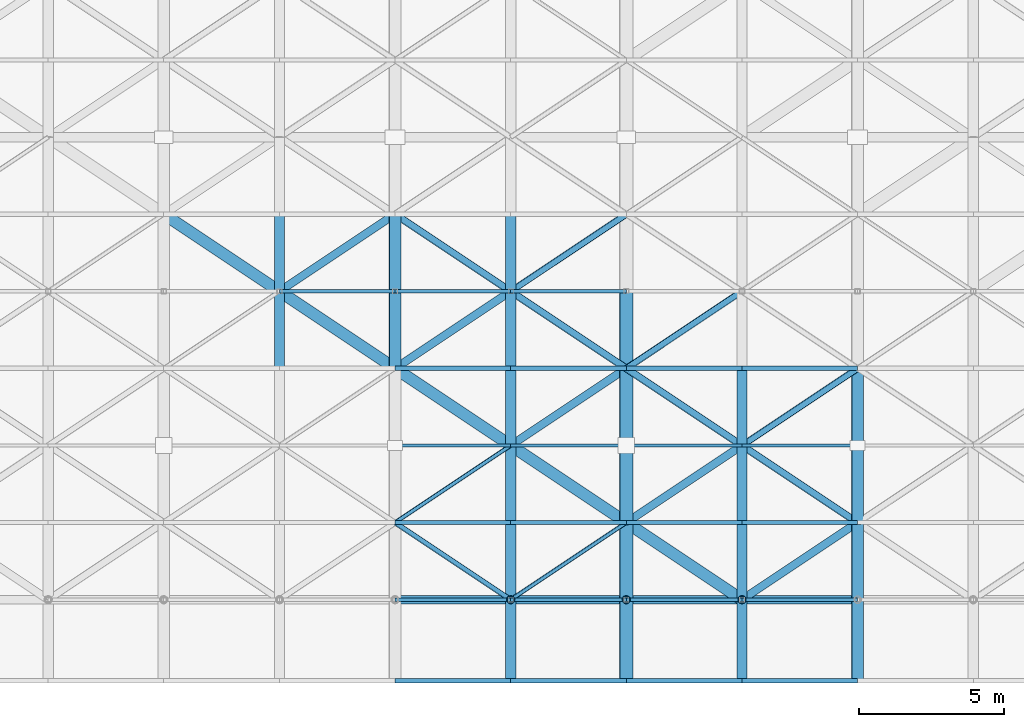
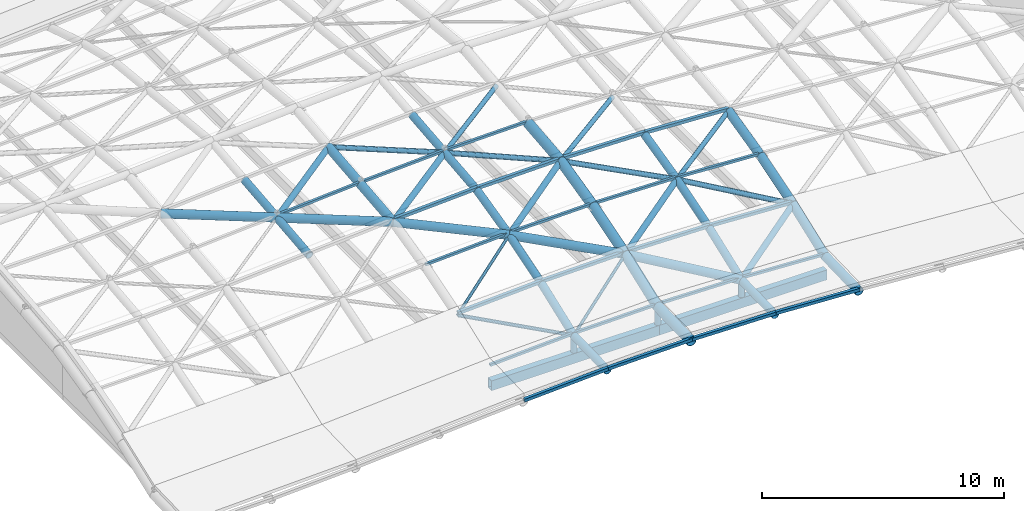
# One storey, part 2 of 20: 46 members, 25 beams.
"""IFC4 building model written with IfcOpenShell, lengths in metres."""

from ifc_helpers import new_model, si_unit, direction, frame, origin, origin_2d, place, context, subcontext, project, spatial, hollow_rectangle, hollow_circle, extrude, material, material_profile, profile_set, type_object, element, save


model = new_model("IFC4")

# Units and contexts
model_context = context("Model", 3, precision=1e-05, world=origin(), true_north=direction((0.0, 1.0)))
body_context = subcontext(model_context, "Body", "Model", "MODEL_VIEW")
ifc_project = project(units=[si_unit("LENGTHUNIT", "METRE"), si_unit("AREAUNIT", "SQUARE_METRE"), si_unit("VOLUMEUNIT", "CUBIC_METRE"), si_unit("PLANEANGLEUNIT", "RADIAN"), si_unit("MASSUNIT", "GRAM", prefix="KILO")], contexts=[model_context])

# Site, building, storey
site_placement = place(None, origin())
site = spatial("IfcSite", under=ifc_project, at=site_placement, CompositionType="ELEMENT")
building_placement = place(site_placement, origin())
building = spatial("IfcBuilding", under=site, at=building_placement, Name="Tenunan Teduh Sports Hall", CompositionType="ELEMENT")
storey_placement = place(building_placement, frame((0.0, 0.0, 23.39990234375)))
storey = spatial("IfcBuildingStorey", under=building, at=storey_placement, Name="RF", CompositionType="ELEMENT", Elevation=23.39990234375)

# Beams
ifc_material_1 = material(Name="Steel S355", Category="steel")
ifc_material_profile_1 = material_profile(ifc_material_1, hollow_circle(Radius=0.177734375, WallThickness=0.012451171875, at=origin_2d()), Name="CHS 355.6x12.5")
ifc_profile_set_1 = profile_set([ifc_material_profile_1], Name="Steel S355")
beam_type_1 = type_object("IfcBeamType", Name="GSB-CHS356", PredefinedType="BEAM", material=ifc_profile_set_1)
beam_1_placement = place(storey_placement, frame((18.0, 22.0, 2.6474609375), z_axis=(0.0, 0.994784282387, 0.102001134878), x_axis=(-1.0, 0.0, 0.0)))
element("IfcBeam", 1, at=beam_1_placement, inside=storey, type_object=beam_type_1, Name="Gridshell Vault Arch BM-GR-04-RF-0313", PredefinedType="BEAM", context=body_context, shape_type="SweptSolid", body=[
    extrude(hollow_circle(Radius=0.177734375, WallThickness=0.012451171875, at=origin_2d()), origin(), (0.0, 0.0, 1.0), 2.6806640625),
])
beam_2_placement = place(storey_placement, frame((18.0, 24.666748046875, 2.9208984375), z_axis=(0.0, 0.994783334719, 0.102010376752), x_axis=(-1.0, 0.0, 0.0)))
element("IfcBeam", 2, at=beam_2_placement, inside=storey, type_object=beam_type_1, Name="Gridshell Vault Arch BM-GR-04-RF-0314", PredefinedType="BEAM", context=body_context, shape_type="SweptSolid", body=[
    extrude(hollow_circle(Radius=0.177734375, WallThickness=0.012451171875, at=origin_2d()), origin(), (0.0, 0.0, 1.0), 2.680419921875),
])
beam_3_placement = place(storey_placement, frame((26.0, 11.199951171875, 0.5693359375), z_axis=(0.0, 0.999610985869, 0.027890445155), x_axis=(-1.0, 0.0, 0.0)))
element("IfcBeam", 3, at=beam_3_placement, inside=storey, type_object=beam_type_1, Name="Gridshell Vault Arch BM-GR-04-RF-0337", PredefinedType="BEAM", context=body_context, shape_type="SweptSolid", body=[
    extrude(hollow_circle(Radius=0.177734375, WallThickness=0.012451171875, at=origin_2d()), origin(), (0.0, 0.0, 1.0), 2.801025390625),
])
beam_4_placement = place(storey_placement, frame((26.0, 14.0, 0.6474609375), z_axis=(0.0, 0.935428675248, 0.353515478479), x_axis=(-1.0, 0.0, 0.0)))
element("IfcBeam", 4, at=beam_4_placement, inside=storey, type_object=beam_type_1, Name="Gridshell Vault Arch BM-GR-04-RF-0338", PredefinedType="BEAM", context=body_context, shape_type="SweptSolid", body=[
    extrude(hollow_circle(Radius=0.177734375, WallThickness=0.012451171875, at=origin_2d()), origin(), (0.0, 0.0, 1.0), 2.850830078125),
])
beam_5_placement = place(storey_placement, frame((26.0, 16.666748046875, 1.6552734375), z_axis=(0.0, 0.955399948598, 0.295314981365), x_axis=(-1.0, 0.0, 0.0)))
element("IfcBeam", 5, at=beam_5_placement, inside=storey, type_object=beam_type_1, Name="Gridshell Vault Arch BM-GR-04-RF-0339", PredefinedType="BEAM", context=body_context, shape_type="SweptSolid", body=[
    extrude(hollow_circle(Radius=0.177734375, WallThickness=0.012451171875, at=origin_2d()), origin(), (0.0, 0.0, 1.0), 2.791015625),
])
beam_6_placement = place(storey_placement, frame((26.0, 19.333251953125, 2.4794921875), z_axis=(0.0, 0.972012875749, 0.234927583263), x_axis=(-1.0, 0.0, 0.0)))
element("IfcBeam", 6, at=beam_6_placement, inside=storey, type_object=beam_type_1, Name="Gridshell Vault Arch BM-GR-04-RF-0340", PredefinedType="BEAM", context=body_context, shape_type="SweptSolid", body=[
    extrude(hollow_circle(Radius=0.177734375, WallThickness=0.012451171875, at=origin_2d()), origin(), (0.0, 0.0, 1.0), 2.74365234375),
])
beam_7_placement = place(storey_placement, frame((26.0, 22.0, 3.1240234375), z_axis=(0.0, 0.994784282387, 0.102001134878), x_axis=(-1.0, 0.0, 0.0)))
element("IfcBeam", 7, at=beam_7_placement, inside=storey, type_object=beam_type_1, Name="Gridshell Vault Arch BM-GR-04-RF-0341", PredefinedType="BEAM", context=body_context, shape_type="SweptSolid", body=[
    extrude(hollow_circle(Radius=0.177734375, WallThickness=0.012451171875, at=origin_2d()), origin(), (0.0, 0.0, 1.0), 2.6806640625),
])
beam_8_placement = place(storey_placement, frame((26.0, 24.666748046875, 3.3974609375), z_axis=(0.0, 0.994783334719, 0.102010376752), x_axis=(-1.0, 0.0, 0.0)))
element("IfcBeam", 8, at=beam_8_placement, inside=storey, type_object=beam_type_1, Name="Gridshell Vault Arch BM-GR-04-RF-0342", PredefinedType="BEAM", context=body_context, shape_type="SweptSolid", body=[
    extrude(hollow_circle(Radius=0.177734375, WallThickness=0.012451171875, at=origin_2d()), origin(), (0.0, 0.0, 1.0), 2.680419921875),
])
beam_9_placement = place(storey_placement, frame((34.0, 11.199951171875, 0.5693359375), z_axis=(0.0, 0.999610985869, 0.027890445155), x_axis=(-1.0, 0.0, 0.0)))
element("IfcBeam", 9, at=beam_9_placement, inside=storey, type_object=beam_type_1, Name="Gridshell Vault Arch BM-GR-04-RF-0365", PredefinedType="BEAM", context=body_context, shape_type="SweptSolid", body=[
    extrude(hollow_circle(Radius=0.177734375, WallThickness=0.012451171875, at=origin_2d()), origin(), (0.0, 0.0, 1.0), 2.801025390625),
])
beam_10_placement = place(storey_placement, frame((34.0, 14.0, 0.6474609375), z_axis=(0.0, 0.935428675248, 0.353515478479), x_axis=(-1.0, 0.0, 0.0)))
element("IfcBeam", 10, at=beam_10_placement, inside=storey, type_object=beam_type_1, Name="Gridshell Vault Arch BM-GR-04-RF-0366", PredefinedType="BEAM", context=body_context, shape_type="SweptSolid", body=[
    extrude(hollow_circle(Radius=0.177734375, WallThickness=0.012451171875, at=origin_2d()), origin(), (0.0, 0.0, 1.0), 2.850830078125),
])
beam_11_placement = place(storey_placement, frame((34.0, 16.666748046875, 1.6552734375), z_axis=(0.0, 0.955399948598, 0.295314981365), x_axis=(-1.0, 0.0, 0.0)))
element("IfcBeam", 11, at=beam_11_placement, inside=storey, type_object=beam_type_1, Name="Gridshell Vault Arch BM-GR-04-RF-0367", PredefinedType="BEAM", context=body_context, shape_type="SweptSolid", body=[
    extrude(hollow_circle(Radius=0.177734375, WallThickness=0.012451171875, at=origin_2d()), origin(), (0.0, 0.0, 1.0), 2.791015625),
])
beam_12_placement = place(storey_placement, frame((34.0, 19.333251953125, 2.4794921875), z_axis=(0.0, 0.972012875749, 0.234927583263), x_axis=(-1.0, 0.0, 0.0)))
element("IfcBeam", 12, at=beam_12_placement, inside=storey, type_object=beam_type_1, Name="Gridshell Vault Arch BM-GR-04-RF-0368", PredefinedType="BEAM", context=body_context, shape_type="SweptSolid", body=[
    extrude(hollow_circle(Radius=0.177734375, WallThickness=0.012451171875, at=origin_2d()), origin(), (0.0, 0.0, 1.0), 2.74365234375),
])
ifc_material_2 = material(Name="Steel S355", Category="steel")
ifc_material_profile_2 = material_profile(ifc_material_2, hollow_circle(Radius=0.203125, WallThickness=0.01611328125, at=origin_2d()), Name="CHS 406.4x16.0")
ifc_profile_set_2 = profile_set([ifc_material_profile_2], Name="Steel S355")
beam_type_2 = type_object("IfcBeamType", Name="GSB-CHS406", PredefinedType="BEAM", material=ifc_profile_set_2)
beam_13_placement = place(storey_placement, frame((22.0, 22.0, 2.9208984375), z_axis=(0.0, 0.994784282387, 0.102001134878), x_axis=(-1.0, 0.0, 0.0)))
element("IfcBeam", 13, at=beam_13_placement, inside=storey, type_object=beam_type_2, Name="Gridshell Vault Arch BM-GA-02-RF-0327", PredefinedType="BEAM", context=body_context, shape_type="SweptSolid", body=[
    extrude(hollow_circle(Radius=0.203125, WallThickness=0.01611328125, at=origin_2d()), origin(), (0.0, 0.0, 1.0), 2.6806640625),
])
beam_14_placement = place(storey_placement, frame((22.0, 24.666748046875, 3.1943359375), z_axis=(0.0, 0.994783334719, 0.102010376752), x_axis=(-1.0, 0.0, 0.0)))
element("IfcBeam", 14, at=beam_14_placement, inside=storey, type_object=beam_type_2, Name="Gridshell Vault Arch BM-GA-02-RF-0328", PredefinedType="BEAM", context=body_context, shape_type="SweptSolid", body=[
    extrude(hollow_circle(Radius=0.203125, WallThickness=0.01611328125, at=origin_2d()), origin(), (0.0, 0.0, 1.0), 2.680419921875),
])
beam_15_placement = place(storey_placement, frame((38.0, 11.199951171875, 0.3662109375), z_axis=(0.0, 0.999610985869, 0.027890445155), x_axis=(-1.0, 0.0, 0.0)))
element("IfcBeam", 15, at=beam_15_placement, inside=storey, type_object=beam_type_2, Name="Gridshell Vault Arch BM-GA-02-RF-0379", PredefinedType="BEAM", context=body_context, shape_type="SweptSolid", body=[
    extrude(hollow_circle(Radius=0.203125, WallThickness=0.01611328125, at=origin_2d()), origin(), (0.0, 0.0, 1.0), 2.801025390625),
])
beam_16_placement = place(storey_placement, frame((38.0, 14.0, 0.4443359375), z_axis=(0.0, 0.935428675248, 0.353515478479), x_axis=(-1.0, 0.0, 0.0)))
element("IfcBeam", 16, at=beam_16_placement, inside=storey, type_object=beam_type_2, Name="Gridshell Vault Arch BM-GA-02-RF-0380", PredefinedType="BEAM", context=body_context, shape_type="SweptSolid", body=[
    extrude(hollow_circle(Radius=0.203125, WallThickness=0.01611328125, at=origin_2d()), origin(), (0.0, 0.0, 1.0), 2.850830078125),
])
beam_17_placement = place(storey_placement, frame((38.0, 16.666748046875, 1.4521484375), z_axis=(0.0, 0.955399948598, 0.295314981365), x_axis=(-1.0, 0.0, 0.0)))
element("IfcBeam", 17, at=beam_17_placement, inside=storey, type_object=beam_type_2, Name="Gridshell Vault Arch BM-GA-02-RF-0381", PredefinedType="BEAM", context=body_context, shape_type="SweptSolid", body=[
    extrude(hollow_circle(Radius=0.203125, WallThickness=0.01611328125, at=origin_2d()), origin(), (0.0, 0.0, 1.0), 2.791015625),
])
beam_18_placement = place(storey_placement, frame((38.0, 19.333251953125, 2.2763671875), z_axis=(0.0, 0.972012875749, 0.234927583263), x_axis=(-1.0, 0.0, 0.0)))
element("IfcBeam", 18, at=beam_18_placement, inside=storey, type_object=beam_type_2, Name="Gridshell Vault Arch BM-GA-02-RF-0382", PredefinedType="BEAM", context=body_context, shape_type="SweptSolid", body=[
    extrude(hollow_circle(Radius=0.203125, WallThickness=0.01611328125, at=origin_2d()), origin(), (0.0, 0.0, 1.0), 2.74365234375),
])
ifc_material_3 = material(Name="Steel S355", Category="steel")
ifc_material_profile_3 = material_profile(ifc_material_3, hollow_circle(Radius=0.228515625, WallThickness=0.01611328125, at=origin_2d()), Name="CHS 457.0x16.0")
ifc_profile_set_3 = profile_set([ifc_material_profile_3], Name="Steel S355")
beam_type_3 = type_object("IfcBeamType", Name="GSB-CHS457", PredefinedType="BEAM", material=ifc_profile_set_3)
beam_19_placement = place(storey_placement, frame((30.0, 11.199951171875, 0.6435546875), z_axis=(0.0, 0.999610985869, 0.027890445155), x_axis=(-1.0, 0.0, 0.0)))
element("IfcBeam", 19, at=beam_19_placement, inside=storey, type_object=beam_type_3, Name="Gridshell Vault Arch BM-GA-01-RF-0351", PredefinedType="BEAM", context=body_context, shape_type="SweptSolid", body=[
    extrude(hollow_circle(Radius=0.228515625, WallThickness=0.01611328125, at=origin_2d()), origin(), (0.0, 0.0, 1.0), 2.801025390625),
])
beam_20_placement = place(storey_placement, frame((30.0, 14.0, 0.7216796875), z_axis=(0.0, 0.935428675248, 0.353515478479), x_axis=(-1.0, 0.0, 0.0)))
element("IfcBeam", 20, at=beam_20_placement, inside=storey, type_object=beam_type_3, Name="Gridshell Vault Arch BM-GA-01-RF-0352", PredefinedType="BEAM", context=body_context, shape_type="SweptSolid", body=[
    extrude(hollow_circle(Radius=0.228515625, WallThickness=0.01611328125, at=origin_2d()), origin(), (0.0, 0.0, 1.0), 2.850830078125),
])
beam_21_placement = place(storey_placement, frame((30.0, 16.666748046875, 1.7294921875), z_axis=(0.0, 0.955399948598, 0.295314981365), x_axis=(-1.0, 0.0, 0.0)))
element("IfcBeam", 21, at=beam_21_placement, inside=storey, type_object=beam_type_3, Name="Gridshell Vault Arch BM-GA-01-RF-0353", PredefinedType="BEAM", context=body_context, shape_type="SweptSolid", body=[
    extrude(hollow_circle(Radius=0.228515625, WallThickness=0.01611328125, at=origin_2d()), origin(), (0.0, 0.0, 1.0), 2.791015625),
])
beam_22_placement = place(storey_placement, frame((30.0, 19.333251953125, 2.5537109375), z_axis=(0.0, 0.972012875749, 0.234927583263), x_axis=(-1.0, 0.0, 0.0)))
element("IfcBeam", 22, at=beam_22_placement, inside=storey, type_object=beam_type_3, Name="Gridshell Vault Arch BM-GA-01-RF-0354", PredefinedType="BEAM", context=body_context, shape_type="SweptSolid", body=[
    extrude(hollow_circle(Radius=0.228515625, WallThickness=0.01611328125, at=origin_2d()), origin(), (0.0, 0.0, 1.0), 2.74365234375),
])
beam_23_placement = place(storey_placement, frame((30.0, 22.0, 3.1982421875), z_axis=(0.0, 0.994784282387, 0.102001134878), x_axis=(-1.0, 0.0, 0.0)))
element("IfcBeam", 23, at=beam_23_placement, inside=storey, type_object=beam_type_3, Name="Gridshell Vault Arch BM-GA-01-RF-0355", PredefinedType="BEAM", context=body_context, shape_type="SweptSolid", body=[
    extrude(hollow_circle(Radius=0.228515625, WallThickness=0.01611328125, at=origin_2d()), origin(), (0.0, 0.0, 1.0), 2.6806640625),
])

# Members
ifc_material_4 = material(Name="Steel S355", Category="steel")
ifc_material_profile_4 = material_profile(ifc_material_4, hollow_circle(Radius=0.06982421875, WallThickness=0.00634765625, at=origin_2d()), Name="CHS 139.7x6.3")
ifc_profile_set_4 = profile_set([ifc_material_profile_4], Name="Steel S355")
member_type_1 = type_object("IfcMemberType", Name="MEM-BR-CHS140", PredefinedType="BRACE", material=ifc_profile_set_4)
member_1_placement = place(storey_placement, frame((22.0, 16.666748046875, 1.4521484375), z_axis=(0.81369284432, 0.542428786967, 0.208985564508), x_axis=(-0.554676756648, 0.832065920246, 0.0)))
element("IfcMember", 24, at=member_1_placement, inside=storey, type_object=member_type_1, Name="MEM-GD-05-RF-0634", PredefinedType="BRACE", context=body_context, shape_type="SweptSolid", body=[
    extrude(hollow_circle(Radius=0.06982421875, WallThickness=0.00634765625, at=origin_2d()), origin(), (0.0, 0.0, 1.0), 4.915771484375),
])
member_2_placement = place(storey_placement, frame((26.0, 14.0, 0.6474609375), z_axis=(0.811735897602, 0.541173779877, 0.219580901988), x_axis=(-0.554711915519, 0.832042481356, 0.0)))
element("IfcMember", 25, at=member_2_placement, inside=storey, type_object=member_type_1, Name="MEM-GD-05-RF-0660", PredefinedType="BRACE", context=body_context, shape_type="SweptSolid", body=[
    extrude(hollow_circle(Radius=0.06982421875, WallThickness=0.00634765625, at=origin_2d()), origin(), (0.0, 0.0, 1.0), 4.927734375),
])
ifc_material_5 = material(Name="Steel S355", Category="steel")
ifc_material_profile_5 = material_profile(ifc_material_5, hollow_circle(Radius=0.084228515625, WallThickness=0.008056640625, at=origin_2d()), Name="CHS 168.3x8.0")
ifc_profile_set_5 = profile_set([ifc_material_profile_5], Name="Steel S355")
member_type_2 = type_object("IfcMemberType", Name="MEM-BR-CHS168", PredefinedType="BRACE", material=ifc_profile_set_5)
member_3_placement = place(storey_placement, frame((22.0, 16.666748046875, 1.4521484375), z_axis=(0.820626050019, -0.547100729026, -0.165086881156), x_axis=(0.554711915519, 0.832042481356, 0.0)))
element("IfcMember", 26, at=member_3_placement, inside=storey, type_object=member_type_2, Name="MEM-GD-04-RF-0633", PredefinedType="BRACE", context=body_context, shape_type="SweptSolid", body=[
    extrude(hollow_circle(Radius=0.084228515625, WallThickness=0.008056640625, at=origin_2d()), origin(), (0.0, 0.0, 1.0), 4.874267578125),
])
ifc_material_6 = material(Name="Steel S355", Category="steel")
ifc_material_profile_6 = material_profile(ifc_material_6, hollow_circle(Radius=0.109619140625, WallThickness=0.010009765625, at=origin_2d()), Name="CHS 219.1x10.0")
ifc_profile_set_6 = profile_set([ifc_material_profile_6], Name="Steel S355")
member_type_3 = type_object("IfcMemberType", Name="MEM-BR-CHS219", PredefinedType="BRACE", material=ifc_profile_set_6)
member_4_placement = place(storey_placement, frame((26.0, 24.666748046875, 3.3974609375), z_axis=(0.829898596039, 0.553231962032, 0.072129858445), x_axis=(-0.554676756648, 0.832065920246, 0.0)))
element("IfcMember", 27, at=member_4_placement, inside=storey, type_object=member_type_3, Name="MEM-GD-02-RF-0664", PredefinedType="BRACE", context=body_context, shape_type="SweptSolid", body=[
    extrude(hollow_circle(Radius=0.109619140625, WallThickness=0.010009765625, at=origin_2d()), origin(), (0.0, 0.0, 1.0), 4.81982421875),
])
member_5_placement = place(storey_placement, frame((30.0, 22.0, 3.1982421875), z_axis=(0.831328991106, 0.554236240836, 0.041404080612), x_axis=(-0.554711915519, 0.832042481356, 0.0)))
element("IfcMember", 28, at=member_5_placement, inside=storey, type_object=member_type_3, Name="MEM-GD-02-RF-0690", PredefinedType="BRACE", context=body_context, shape_type="SweptSolid", body=[
    extrude(hollow_circle(Radius=0.109619140625, WallThickness=0.010009765625, at=origin_2d()), origin(), (0.0, 0.0, 1.0), 4.8115234375),
])
member_6_placement = place(storey_placement, frame((34.0, 19.333251953125, 2.4794921875), z_axis=(0.828557278372, 0.552388375955, 0.091432590289), x_axis=(-0.554711915519, 0.832042481356, 0.0)))
element("IfcMember", 29, at=member_6_placement, inside=storey, type_object=member_type_3, Name="MEM-GD-02-RF-0716", PredefinedType="BRACE", context=body_context, shape_type="SweptSolid", body=[
    extrude(hollow_circle(Radius=0.109619140625, WallThickness=0.010009765625, at=origin_2d()), origin(), (0.0, 0.0, 1.0), 4.82763671875),
])
ifc_material_7 = material(Name="Steel S355", Category="steel")
ifc_material_profile_7 = material_profile(ifc_material_7, hollow_circle(Radius=0.122314453125, WallThickness=0.010009765625, at=origin_2d()), Name="CHS 244.5x10.0")
ifc_profile_set_7 = profile_set([ifc_material_profile_7], Name="Steel S355")
member_type_4 = type_object("IfcMemberType", Name="MEM-BR-CHS245", PredefinedType="BRACE", material=ifc_profile_set_7)
member_7_placement = place(storey_placement, frame((22.0, 27.333251953125, 3.4677734375), z_axis=(0.831976934871, -0.554617436686, -0.014624594558), x_axis=(0.554676756648, 0.832065920246, 0.0)))
element("IfcMember", 30, at=member_7_placement, inside=storey, type_object=member_type_4, Name="MEM-GD-01-RF-0637", PredefinedType="BRACE", context=body_context, shape_type="SweptSolid", body=[
    extrude(hollow_circle(Radius=0.122314453125, WallThickness=0.010009765625, at=origin_2d()), origin(), (0.0, 0.0, 1.0), 4.807861328125),
])
member_8_placement = place(storey_placement, frame((26.0, 24.666748046875, 3.3974609375), z_axis=(0.831328991106, -0.554236240836, -0.041404080612), x_axis=(0.554711915519, 0.832042481356, 0.0)))
element("IfcMember", 31, at=member_8_placement, inside=storey, type_object=member_type_4, Name="MEM-GD-01-RF-0663", PredefinedType="BRACE", context=body_context, shape_type="SweptSolid", body=[
    extrude(hollow_circle(Radius=0.122314453125, WallThickness=0.010009765625, at=origin_2d()), origin(), (0.0, 0.0, 1.0), 4.8115234375),
])
member_9_placement = place(storey_placement, frame((30.0, 22.0, 3.1982421875), z_axis=(0.822896399195, -0.548614341334, -0.14786419673), x_axis=(0.554711915519, 0.832042481356, 0.0)))
element("IfcMember", 32, at=member_9_placement, inside=storey, type_object=member_type_4, Name="MEM-GD-01-RF-0689", PredefinedType="BRACE", context=body_context, shape_type="SweptSolid", body=[
    extrude(hollow_circle(Radius=0.122314453125, WallThickness=0.010009765625, at=origin_2d()), origin(), (0.0, 0.0, 1.0), 4.86083984375),
])
member_10_placement = place(storey_placement, frame((34.0, 19.333251953125, 2.4794921875), z_axis=(0.81369284432, -0.542428786967, -0.208985564508), x_axis=(0.554676756648, 0.832065920246, 0.0)))
element("IfcMember", 33, at=member_10_placement, inside=storey, type_object=member_type_4, Name="MEM-GD-01-RF-0715", PredefinedType="BRACE", context=body_context, shape_type="SweptSolid", body=[
    extrude(hollow_circle(Radius=0.122314453125, WallThickness=0.010009765625, at=origin_2d()), origin(), (0.0, 0.0, 1.0), 4.915771484375),
])
ifc_material_8 = material(Name="Steel S355", Category="steel")
ifc_material_profile_8 = material_profile(ifc_material_8, hollow_circle(Radius=0.136474609375, WallThickness=0.010009765625, at=origin_2d()), Name="CHS 273.0x10.0")
ifc_profile_set_8 = profile_set([ifc_material_profile_8], Name="Steel S355")
member_type_5 = type_object("IfcMemberType", Name="MEM-CH-CHS273", PredefinedType="CHORD", material=ifc_profile_set_8)
member_11_placement = place(storey_placement, frame((18.0, 24.666748046875, 2.9208984375), z_axis=(0.826733689025, 0.551122152804, 0.113029996546), x_axis=(-0.554676756648, 0.832065920246, 0.0)))
element("IfcMember", 34, at=member_11_placement, inside=storey, type_object=member_type_5, Name="MEM-GC-03-RF-0610", PredefinedType="CHORD", context=body_context, shape_type="SweptSolid", body=[
    extrude(hollow_circle(Radius=0.136474609375, WallThickness=0.010009765625, at=origin_2d()), origin(), (0.0, 0.0, 1.0), 4.83837890625),
])
member_12_placement = place(storey_placement, frame((22.0, 22.0, 2.9208984375), z_axis=(0.827984222016, 0.552006326726, 0.098646557701), x_axis=(-0.554711915519, 0.832042481356, 0.0)))
element("IfcMember", 35, at=member_12_placement, inside=storey, type_object=member_type_5, Name="MEM-GC-03-RF-0636", PredefinedType="CHORD", context=body_context, shape_type="SweptSolid", body=[
    extrude(hollow_circle(Radius=0.136474609375, WallThickness=0.010009765625, at=origin_2d()), origin(), (0.0, 0.0, 1.0), 4.8310546875),
])
member_13_placement = place(storey_placement, frame((26.0, 19.333251953125, 2.4794921875), z_axis=(0.822896399195, 0.548614341334, 0.14786419673), x_axis=(-0.554711915519, 0.832042481356, 0.0)))
element("IfcMember", 36, at=member_13_placement, inside=storey, type_object=member_type_5, Name="MEM-GC-03-RF-0662", PredefinedType="CHORD", context=body_context, shape_type="SweptSolid", body=[
    extrude(hollow_circle(Radius=0.136474609375, WallThickness=0.010009765625, at=origin_2d()), origin(), (0.0, 0.0, 1.0), 4.86083984375),
])
member_14_placement = place(storey_placement, frame((30.0, 16.666748046875, 1.7294921875), z_axis=(0.822120918816, 0.548047160358, 0.154147672278), x_axis=(-0.554676756648, 0.832065920246, 0.0)))
element("IfcMember", 37, at=member_14_placement, inside=storey, type_object=member_type_5, Name="MEM-GC-03-RF-0688", PredefinedType="CHORD", context=body_context, shape_type="SweptSolid", body=[
    extrude(hollow_circle(Radius=0.136474609375, WallThickness=0.010009765625, at=origin_2d()), origin(), (0.0, 0.0, 1.0), 4.865478515625),
])
member_15_placement = place(storey_placement, frame((34.0, 14.0, 0.6474609375), z_axis=(0.820626050019, 0.547100729026, 0.165086881156), x_axis=(-0.554711915519, 0.832042481356, 0.0)))
element("IfcMember", 38, at=member_15_placement, inside=storey, type_object=member_type_5, Name="MEM-GC-03-RF-0714", PredefinedType="CHORD", context=body_context, shape_type="SweptSolid", body=[
    extrude(hollow_circle(Radius=0.136474609375, WallThickness=0.010009765625, at=origin_2d()), origin(), (0.0, 0.0, 1.0), 4.874267578125),
])
ifc_material_9 = material(Name="Steel S355", Category="steel")
ifc_material_profile_9 = material_profile(ifc_material_9, hollow_circle(Radius=0.203125, WallThickness=0.012451171875, at=origin_2d()), Name="CHS 406.4x12.5")
ifc_profile_set_9 = profile_set([ifc_material_profile_9], Name="Steel S355")
member_type_6 = type_object("IfcMemberType", Name="MEM-CH-CHS406L", PredefinedType="CHORD", material=ifc_profile_set_9)
for number, where, z_axis, x_axis, name in (
    (39, (14.0, 27.333251953125, 2.9169921875), (0.832065645556, -0.554676573533, 0.000812564107), (0.554676756648, 0.832065920246, 0.0), "MEM-GC-01-RF-0583"),
    (40, (18.0, 24.666748046875, 2.9208984375), (0.832042481356, -0.554711915519, 0.0), (0.554711915519, 0.832042481356, 0.0), "MEM-GC-01-RF-0609"),
):
    element("IfcMember", number, at=place(storey_placement, frame(where, z_axis=z_axis, x_axis=x_axis)), inside=storey, type_object=member_type_6, Name=name, PredefinedType="CHORD", context=body_context, shape_type="SweptSolid", body=[
        extrude(hollow_circle(Radius=0.203125, WallThickness=0.012451171875, at=origin_2d()), origin(), (0.0, 0.0, 1.0), 4.807373046875),
    ])
member_16_placement = place(storey_placement, frame((22.0, 22.0, 2.9208984375), z_axis=(0.828557278372, -0.552388375955, -0.091432590289), x_axis=(0.554711915519, 0.832042481356, 0.0)))
element("IfcMember", 41, at=member_16_placement, inside=storey, type_object=member_type_6, Name="MEM-GC-01-RF-0635", PredefinedType="CHORD", context=body_context, shape_type="SweptSolid", body=[
    extrude(hollow_circle(Radius=0.203125, WallThickness=0.012451171875, at=origin_2d()), origin(), (0.0, 0.0, 1.0), 4.82763671875),
])
member_17_placement = place(storey_placement, frame((26.0, 19.333251953125, 2.4794921875), z_axis=(0.822120918816, -0.548047160358, -0.154147672278), x_axis=(0.554676756648, 0.832065920246, 0.0)))
element("IfcMember", 42, at=member_17_placement, inside=storey, type_object=member_type_6, Name="MEM-GC-01-RF-0661", PredefinedType="CHORD", context=body_context, shape_type="SweptSolid", body=[
    extrude(hollow_circle(Radius=0.203125, WallThickness=0.012451171875, at=origin_2d()), origin(), (0.0, 0.0, 1.0), 4.865478515625),
])
member_18_placement = place(storey_placement, frame((30.0, 16.666748046875, 1.7294921875), z_axis=(0.811735897602, -0.541173779877, -0.219580901988), x_axis=(0.554711915519, 0.832042481356, 0.0)))
element("IfcMember", 43, at=member_18_placement, inside=storey, type_object=member_type_6, Name="MEM-GC-01-RF-0687", PredefinedType="CHORD", context=body_context, shape_type="SweptSolid", body=[
    extrude(hollow_circle(Radius=0.203125, WallThickness=0.012451171875, at=origin_2d()), origin(), (0.0, 0.0, 1.0), 4.927734375),
])
ifc_material_10 = material(Name="Steel S355", Category="steel")
ifc_material_profile_10 = material_profile(ifc_material_10, hollow_rectangle(XDim=0.1201171875, YDim=0.1201171875, WallThickness=0.00634765625, at=origin_2d()), Name="SHS 120x120x6.3")
ifc_profile_set_10 = profile_set([ifc_material_profile_10], Name="Steel S355")
member_type_7 = type_object("IfcMemberType", Name="MEM-PR-SHS120", PredefinedType="PURLIN", material=ifc_profile_set_10)
member_19_placement = place(storey_placement, frame((18.0, 24.666748046875, 3.040771484375), z_axis=(0.997671655029, 0.0, 0.068200210793), x_axis=(0.0, 1.0, 0.0)))
element("IfcMember", 44, at=member_19_placement, inside=storey, type_object=member_type_7, Name="MEM-PR-02-RF-0596", PredefinedType="PURLIN", context=body_context, shape_type="SweptSolid", body=[
    extrude(hollow_rectangle(XDim=0.1201171875, YDim=0.1201171875, WallThickness=0.00634765625, at=origin_2d()), origin(), (0.0, 0.0, 1.0), 4.00927734375),
])
for number, where, z_axis, x_axis, name in (
    (45, (22.0, 14.0, 0.564208984375), (0.998713120681, 0.0, 0.05071590066), (0.0, 1.0, 0.0), "MEM-PR-02-RF-0619"),
    (46, (22.0, 19.333251953125, 2.396240234375), (0.998713120681, 0.0, 0.05071590066), (0.0, 1.0, 0.0), "MEM-PR-02-RF-0621"),
    (47, (22.0, 24.666748046875, 3.314208984375), (0.998713120681, 0.0, 0.05071590066), (0.0, 1.0, 0.0), "MEM-PR-02-RF-0623"),
):
    element("IfcMember", number, at=place(storey_placement, frame(where, z_axis=z_axis, x_axis=x_axis)), inside=storey, type_object=member_type_7, Name=name, PredefinedType="PURLIN", context=body_context, shape_type="SweptSolid", body=[
        extrude(hollow_rectangle(XDim=0.1201171875, YDim=0.1201171875, WallThickness=0.00634765625, at=origin_2d()), origin(), (0.0, 0.0, 1.0), 4.005126953125),
    ])
for number, where, z_axis, x_axis, name in (
    (48, (26.0, 14.0, 0.767333984375), (0.99982790622, 0.0, 0.018551494354), (0.0, 1.0, 0.0), "MEM-PR-02-RF-0646"),
    (49, (26.0, 19.333251953125, 2.599365234375), (0.99982790622, 0.0, 0.018551494354), (0.0, 1.0, 0.0), "MEM-PR-02-RF-0648"),
    (50, (26.0, 24.666748046875, 3.517333984375), (0.99982790622, 0.0, 0.018551494354), (0.0, 1.0, 0.0), "MEM-PR-02-RF-0650"),
    (51, (30.0, 14.0, 0.841552734375), (0.99982790622, 0.0, -0.018551494354), (0.0, 1.0, 0.0), "MEM-PR-02-RF-0673"),
    (52, (30.0, 19.333251953125, 2.673583984375), (0.99982790622, 0.0, -0.018551494354), (0.0, 1.0, 0.0), "MEM-PR-02-RF-0675"),
):
    element("IfcMember", number, at=place(storey_placement, frame(where, z_axis=z_axis, x_axis=x_axis)), inside=storey, type_object=member_type_7, Name=name, PredefinedType="PURLIN", context=body_context, shape_type="SweptSolid", body=[
        extrude(hollow_rectangle(XDim=0.1201171875, YDim=0.1201171875, WallThickness=0.00634765625, at=origin_2d()), origin(), (0.0, 0.0, 1.0), 4.000732421875),
    ])
for number, where, z_axis, x_axis, name in (
    (53, (34.0, 14.0, 0.767333984375), (0.998713120681, 0.0, -0.05071590066), (0.0, 1.0, 0.0), "MEM-PR-02-RF-0700"),
    (54, (34.0, 19.333251953125, 2.599365234375), (0.998713120681, 0.0, -0.05071590066), (0.0, 1.0, 0.0), "MEM-PR-02-RF-0702"),
):
    element("IfcMember", number, at=place(storey_placement, frame(where, z_axis=z_axis, x_axis=x_axis)), inside=storey, type_object=member_type_7, Name=name, PredefinedType="PURLIN", context=body_context, shape_type="SweptSolid", body=[
        extrude(hollow_rectangle(XDim=0.1201171875, YDim=0.1201171875, WallThickness=0.00634765625, at=origin_2d()), origin(), (0.0, 0.0, 1.0), 4.005126953125),
    ])
ifc_material_11 = material(Name="Steel S355", Category="steel")
ifc_material_profile_11 = material_profile(ifc_material_11, hollow_rectangle(XDim=0.14990234375, YDim=0.14990234375, WallThickness=0.008056640625, at=origin_2d()), Name="SHS 150x150x8.0")
ifc_profile_set_11 = profile_set([ifc_material_profile_11], Name="Steel S355")
member_type_8 = type_object("IfcMemberType", Name="MEM-PR-SHS150", PredefinedType="PURLIN", material=ifc_profile_set_11)
for number, where, z_axis, x_axis, name in (
    (55, (22.0, 11.199951171875, 0.486083984375), (0.998713120681, 0.0, 0.05071590066), (0.0, 1.0, 0.0), "MEM-PR-01-RF-0618"),
    (56, (22.0, 16.666748046875, 1.572021484375), (0.998713120681, 0.0, 0.05071590066), (0.0, 1.0, 0.0), "MEM-PR-01-RF-0620"),
    (57, (22.0, 22.0, 3.040771484375), (0.998713120681, 0.0, 0.05071590066), (0.0, 1.0, 0.0), "MEM-PR-01-RF-0622"),
):
    element("IfcMember", number, at=place(storey_placement, frame(where, z_axis=z_axis, x_axis=x_axis)), inside=storey, type_object=member_type_8, Name=name, PredefinedType="PURLIN", context=body_context, shape_type="SweptSolid", body=[
        extrude(hollow_rectangle(XDim=0.14990234375, YDim=0.14990234375, WallThickness=0.008056640625, at=origin_2d()), origin(), (0.0, 0.0, 1.0), 4.005126953125),
    ])
for number, where, z_axis, x_axis, name in (
    (58, (26.0, 11.199951171875, 0.689208984375), (0.99982790622, 0.0, 0.018551494354), (0.0, 1.0, 0.0), "MEM-PR-01-RF-0645"),
    (59, (26.0, 16.666748046875, 1.775146484375), (0.99982790622, 0.0, 0.018551494354), (0.0, 1.0, 0.0), "MEM-PR-01-RF-0647"),
    (60, (26.0, 22.0, 3.243896484375), (0.99982790622, 0.0, 0.018551494354), (0.0, 1.0, 0.0), "MEM-PR-01-RF-0649"),
    (61, (30.0, 11.199951171875, 0.763427734375), (0.99982790622, 0.0, -0.018551494354), (0.0, 1.0, 0.0), "MEM-PR-01-RF-0672"),
    (62, (30.0, 16.666748046875, 1.849365234375), (0.99982790622, 0.0, -0.018551494354), (0.0, 1.0, 0.0), "MEM-PR-01-RF-0674"),
    (63, (30.0, 22.0, 3.318115234375), (0.99982790622, 0.0, -0.018551494354), (0.0, 1.0, 0.0), "MEM-PR-01-RF-0676"),
):
    element("IfcMember", number, at=place(storey_placement, frame(where, z_axis=z_axis, x_axis=x_axis)), inside=storey, type_object=member_type_8, Name=name, PredefinedType="PURLIN", context=body_context, shape_type="SweptSolid", body=[
        extrude(hollow_rectangle(XDim=0.14990234375, YDim=0.14990234375, WallThickness=0.008056640625, at=origin_2d()), origin(), (0.0, 0.0, 1.0), 4.000732421875),
    ])
for number, where, z_axis, x_axis, name in (
    (64, (34.0, 11.199951171875, 0.689208984375), (0.998713120681, 0.0, -0.05071590066), (0.0, 1.0, 0.0), "MEM-PR-01-RF-0699"),
    (65, (34.0, 16.666748046875, 1.775146484375), (0.998713120681, 0.0, -0.05071590066), (0.0, 1.0, 0.0), "MEM-PR-01-RF-0701"),
    (66, (34.0, 22.0, 3.243896484375), (0.998713120681, 0.0, -0.05071590066), (0.0, 1.0, 0.0), "MEM-PR-01-RF-0703"),
):
    element("IfcMember", number, at=place(storey_placement, frame(where, z_axis=z_axis, x_axis=x_axis)), inside=storey, type_object=member_type_8, Name=name, PredefinedType="PURLIN", context=body_context, shape_type="SweptSolid", body=[
        extrude(hollow_rectangle(XDim=0.14990234375, YDim=0.14990234375, WallThickness=0.008056640625, at=origin_2d()), origin(), (0.0, 0.0, 1.0), 4.005126953125),
    ])
ifc_material_12 = material(Name="Steel S355", Category="steel")
ifc_material_profile_12 = material_profile(ifc_material_12, hollow_circle(Radius=0.136474609375, WallThickness=0.010009765625, at=origin_2d()), Name="CHS 273.0x10.0")
ifc_profile_set_12 = profile_set([ifc_material_profile_12], Name="Steel S355")
member_type_9 = type_object("IfcMemberType", Name="MEM-ST-CHS273", PredefinedType="STRUT", material=ifc_profile_set_12)
member_20_placement = place(storey_placement, frame((26.0, 14.0, -0.349853515625), z_axis=(0.0, 0.0, 1.0), x_axis=(1.0, 0.0, 0.0)))
element("IfcMember", 67, at=member_20_placement, inside=storey, type_object=member_type_9, Name="MEM-VS-04-RF-0448", PredefinedType="STRUT", context=body_context, shape_type="SweptSolid", body=[
    extrude(hollow_circle(Radius=0.136474609375, WallThickness=0.010009765625, at=origin_2d()), origin(), (0.0, 0.0, 1.0), 0.997314453125),
])
member_21_placement = place(storey_placement, frame((30.0, 14.0, -0.349853515625), z_axis=(0.0, 0.0, 1.0), x_axis=(1.0, 0.0, 0.0)))
element("IfcMember", 68, at=member_21_placement, inside=storey, type_object=member_type_9, Name="MEM-VS-04-RF-0456", PredefinedType="STRUT", context=body_context, shape_type="SweptSolid", body=[
    extrude(hollow_circle(Radius=0.136474609375, WallThickness=0.010009765625, at=origin_2d()), origin(), (0.0, 0.0, 1.0), 1.071533203125),
])
member_22_placement = place(storey_placement, frame((34.0, 14.0, -0.349853515625), z_axis=(0.0, 0.0, 1.0), x_axis=(1.0, 0.0, 0.0)))
element("IfcMember", 69, at=member_22_placement, inside=storey, type_object=member_type_9, Name="MEM-VS-04-RF-0464", PredefinedType="STRUT", context=body_context, shape_type="SweptSolid", body=[
    extrude(hollow_circle(Radius=0.136474609375, WallThickness=0.010009765625, at=origin_2d()), origin(), (0.0, 0.0, 1.0), 0.997314453125),
])

# Beams
ifc_material_13 = material(Name="Steel S355", Category="steel")
ifc_material_profile_13 = material_profile(ifc_material_13, hollow_rectangle(XDim=0.300048828125, YDim=0.5, WallThickness=0.01611328125, at=origin_2d()), Name="RHS 500x300x16.0")
ifc_profile_set_13 = profile_set([ifc_material_profile_13], Name="Steel S355")
beam_type_4 = type_object("IfcBeamType", Name="RBM-RHS500", PredefinedType="SPANDREL", material=ifc_profile_set_13)
for number, where, z_axis, x_axis, name in (
    (70, (22.0, 14.0, -0.409912109375), (1.0, 0.0, 0.0), (0.0, 1.0, 0.0), "Perimeter Ring Beam BM-RB-01-RF-0246"),
    (71, (30.0, 14.0, -0.409912109375), (1.0, 0.0, 0.0), (0.0, 1.0, 0.0), "Perimeter Ring Beam BM-RB-01-RF-0248"),
):
    element("IfcBeam", number, at=place(storey_placement, frame(where, z_axis=z_axis, x_axis=x_axis)), inside=storey, type_object=beam_type_4, Name=name, PredefinedType="SPANDREL", context=body_context, shape_type="SweptSolid", body=[
        extrude(hollow_rectangle(XDim=0.300048828125, YDim=0.5, WallThickness=0.01611328125, at=origin_2d()), origin(), (0.0, 0.0, 1.0), 8.0),
    ])

save(model, "model.ifc")
